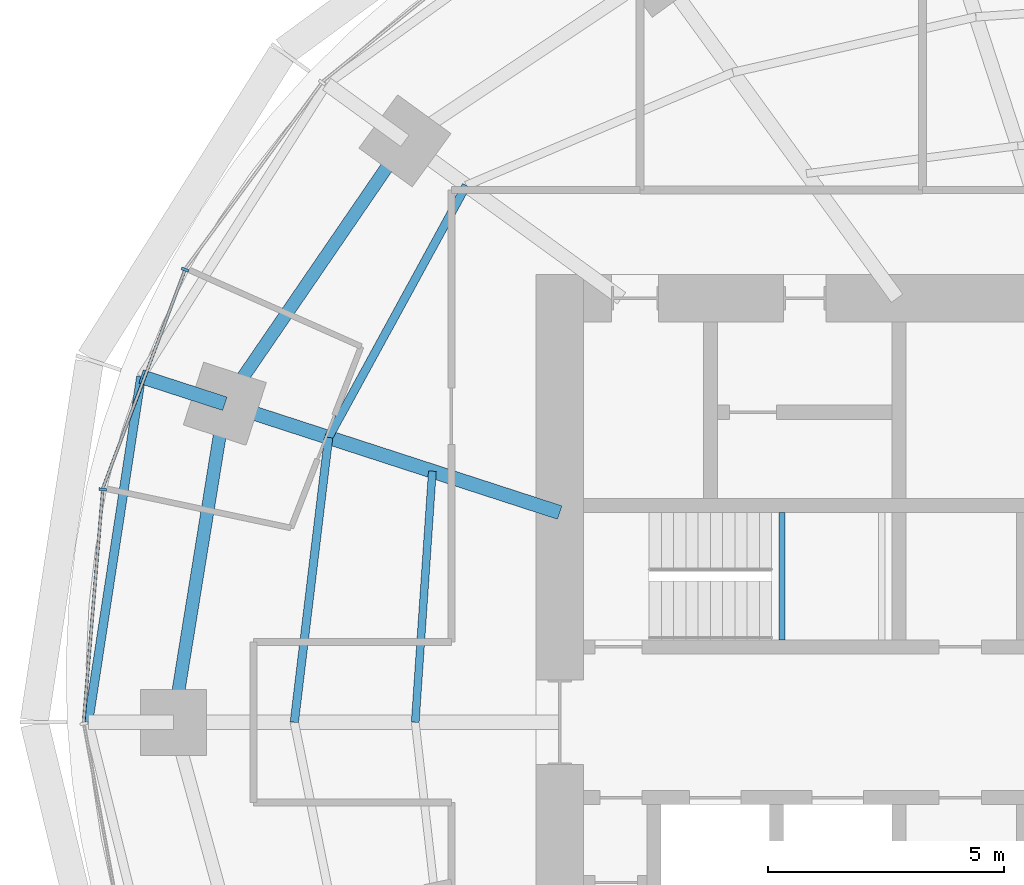
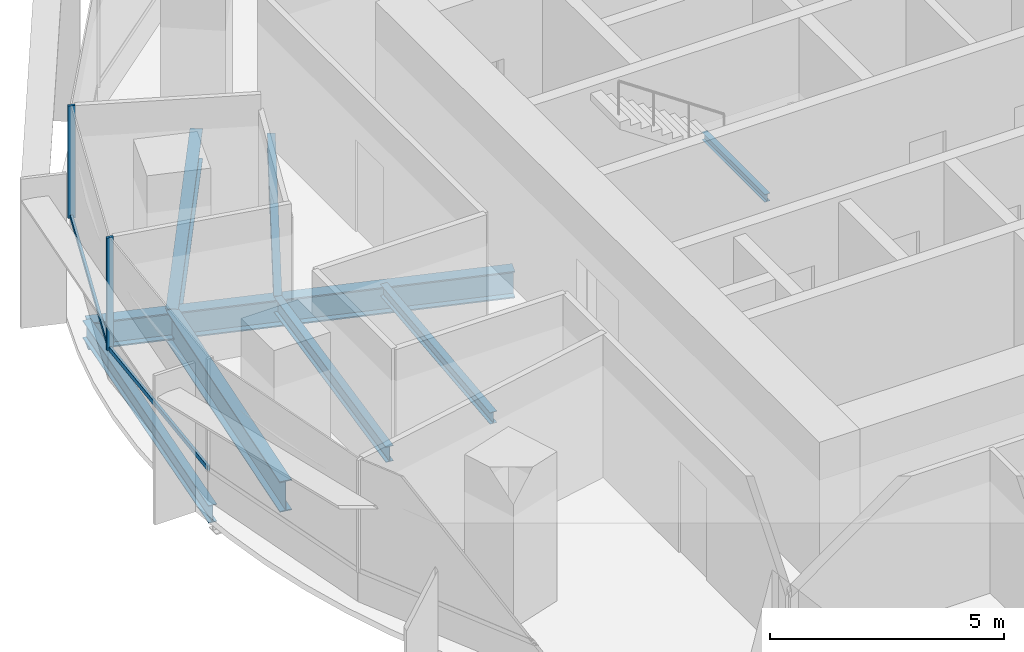
# One storey, part 4 of 14: 9 beams, 4 members, 1 element without a shape of its own.
"""IFC4 building model written with IfcOpenShell, lengths in metres."""

from ifc_helpers import new_model, si_unit, direction, frame, origin, origin_2d, place, context, subcontext, project, spatial, rectangle, i_section, extrude, material, material_profile, profile_set, type_object, element, aggregate, save


model = new_model("IFC4")

# Units and contexts
model_context = context("Model", 3, precision=1e-05, world=origin(), true_north=direction((0.0, 1.0)))
body_context = subcontext(model_context, "Body", "Model", "MODEL_VIEW")
ifc_project = project(units=[si_unit("LENGTHUNIT", "METRE"), si_unit("AREAUNIT", "SQUARE_METRE"), si_unit("VOLUMEUNIT", "CUBIC_METRE"), si_unit("PLANEANGLEUNIT", "RADIAN"), si_unit("MASSUNIT", "GRAM", prefix="KILO")], contexts=[model_context])

# Site, building, storey
site_placement = place(None, origin())
site = spatial("IfcSite", under=ifc_project, at=site_placement, CompositionType="ELEMENT")
building_placement = place(site_placement, origin())
building = spatial("IfcBuilding", under=site, at=building_placement, Name="Marramba Exchange Tower", CompositionType="ELEMENT")
storey_placement = place(building_placement, frame((0.0, 0.0, 199.39990234375)))
storey = spatial("IfcBuildingStorey", under=building, at=storey_placement, Name="L48", CompositionType="ELEMENT", Elevation=199.39990234375)

# Beams
ifc_material_1 = material(Name="Steel AS/NZS 3679.2 grade 300", Category="steel")
ifc_material_profile_1 = material_profile(ifc_material_1, i_section(OverallWidth=0.300048828125, OverallDepth=0.699951171875, WebThickness=0.010009765625, FlangeThickness=0.031982421875, at=origin_2d()), Name="700WB173")
ifc_profile_set_1 = profile_set([ifc_material_profile_1], Name="Steel AS/NZS 3679.2 grade 300")
beam_type_1 = type_object("IfcBeamType", Name="Cantilever girder 700WB173", PredefinedType="BEAM", material=ifc_profile_set_1)
beam_1_placement = place(storey_placement, frame((-20.808349609375, 6.760986328125, -0.510009765625), z_axis=(-0.951047511993, 0.309044705395, 0.0), x_axis=(-0.309044705395, -0.951047511993, 0.0)))
element("IfcBeam", 1, at=beam_1_placement, inside=storey, type_object=beam_type_1, Name="Cantilever girder L48 TC10", PredefinedType="BEAM", context=body_context, shape_type="SweptSolid", body=[
    extrude(i_section(OverallWidth=0.300048828125, OverallDepth=0.699951171875, WebThickness=0.010009765625, FlangeThickness=0.031982421875, at=origin_2d()), origin(), (0.0, 0.0, 1.0), 1.868408203125),
])
ifc_material_2 = material(Name="Steel AS/NZS 3679.1 grade 300", Category="steel")
ifc_material_profile_2 = material_profile(ifc_material_2, i_section(OverallWidth=0.166015625, OverallDepth=0.306884765625, WebThickness=0.006591796875, FlangeThickness=0.01171875, FilletRadius=0.011474609375, at=origin_2d()), Name="310UB46.2")
ifc_profile_set_2 = profile_set([ifc_material_profile_2], Name="Steel AS/NZS 3679.1 grade 300")
beam_type_2 = type_object("IfcBeamType", Name="Floor joist 310UB46.2", PredefinedType="JOIST", material=ifc_profile_set_2)
beam_2_placement = place(storey_placement, frame((-16.40283203125, 5.32958984375, -0.3134765625), z_axis=(-0.068096259546, -0.99767875563, 0.0), x_axis=(0.99767875563, -0.068096259546, 0.0)))
element("IfcBeam", 2, at=beam_2_placement, inside=storey, type_object=beam_type_2, Name="Joist L48 bay 10 row 1", PredefinedType="JOIST", context=body_context, shape_type="SweptSolid", body=[
    extrude(i_section(OverallWidth=0.166015625, OverallDepth=0.306884765625, WebThickness=0.006591796875, FlangeThickness=0.01171875, FilletRadius=0.011474609375, at=origin_2d()), origin(), (0.0, 0.0, 1.0), 5.342041015625),
])
ifc_material_profile_3 = material_profile(ifc_material_2, i_section(OverallWidth=0.177978515625, OverallDepth=0.406005859375, WebThickness=0.0078125, FlangeThickness=0.0126953125, FilletRadius=0.011474609375, at=origin_2d()), Name="410UB59.7")
ifc_profile_set_3 = profile_set([ifc_material_profile_3], Name="Steel AS/NZS 3679.1 grade 300")
beam_type_3 = type_object("IfcBeamType", Name="Floor joist 410UB59.7", PredefinedType="JOIST", material=ifc_profile_set_3)
beam_3_placement = place(storey_placement, frame((-15.682373046875, 11.393798828125, -0.36279296875), z_axis=(-0.479584443791, -0.877495732909, 0.0), x_axis=(0.877495732909, -0.479584443791, 0.0)))
element("IfcBeam", 3, at=beam_3_placement, inside=storey, type_object=beam_type_3, Name="Joist L48 bay 09 row 2", PredefinedType="JOIST", context=body_context, shape_type="SweptSolid", body=[
    extrude(i_section(OverallWidth=0.177978515625, OverallDepth=0.406005859375, WebThickness=0.0078125, FlangeThickness=0.0126953125, FilletRadius=0.011474609375, at=origin_2d()), origin(), (0.0, 0.0, 1.0), 6.094970703125),
])
beam_4_placement = place(storey_placement, frame((-18.60546875, 6.04541015625, -0.36279296875), z_axis=(-0.119523078538, -0.992831422597, 0.0), x_axis=(0.992831422597, -0.119523078538, 0.0)))
element("IfcBeam", 4, at=beam_4_placement, inside=storey, type_object=beam_type_3, Name="Joist L48 bay 10 row 2", PredefinedType="JOIST", context=body_context, shape_type="SweptSolid", body=[
    extrude(i_section(OverallWidth=0.177978515625, OverallDepth=0.406005859375, WebThickness=0.0078125, FlangeThickness=0.0126953125, FilletRadius=0.011474609375, at=origin_2d()), origin(), (0.0, 0.0, 1.0), 6.089111328125),
])

# Curtain wall, members
ifc_material_3 = material(Name="Aluminium framing, bronze anodised", Category="aluminium")
curtain_wall_type = type_object("IfcCurtainWallType", Name="Office ribbon curtain wall", PredefinedType="USERDEFINED", material=ifc_material_3)
curtain_wall_placement = place(storey_placement, origin())
curtain_wall = element("IfcCurtainWall", 5, at=curtain_wall_placement, inside=storey, type_object=curtain_wall_type, Name="Curtain wall CW4 L48 F11-F15", ObjectType="RIBBON CURTAIN WALL", PredefinedType="USERDEFINED")
ifc_material_4 = material(Name="Aluminium mullion, bronze anodised", Category="aluminium")
ifc_material_profile_4 = material_profile(ifc_material_4, rectangle(XDim=0.159912109375, YDim=0.06005859375, at=origin_2d()), Name="CW4 mullion 60x160")
ifc_profile_set_4 = profile_set([ifc_material_profile_4], Name="Aluminium mullion, bronze anodised")
member_type_1 = type_object("IfcMemberType", Name="Office ribbon curtain wall mullion", PredefinedType="MULLION", material=ifc_profile_set_4)
member_1_placement = place(storey_placement, frame((-21.65283203125, 9.607666015625, 0.800048828125), z_axis=(0.0, 0.0, 1.0), x_axis=(0.936018231909, -0.351951515885, 0.0)))
member_1 = element("IfcMember", 6, at=member_1_placement, type_object=member_type_1, Name="CW4 mullion 1", PredefinedType="MULLION", context=body_context, shape_type="SweptSolid", body=[
    extrude(rectangle(XDim=0.159912109375, YDim=0.06005859375, at=origin_2d()), origin(), (0.0, 0.0, 1.0), 2.93994140625),
])
member_2_placement = place(storey_placement, frame((-23.39794921875, 4.94287109375, 0.800048828125), z_axis=(0.0, 0.0, 1.0), x_axis=(0.996609178714, -0.082280890264, 0.0)))
member_2 = element("IfcMember", 7, at=member_2_placement, type_object=member_type_1, Name="CW4 mullion 1", PredefinedType="MULLION", context=body_context, shape_type="SweptSolid", body=[
    extrude(rectangle(XDim=0.159912109375, YDim=0.06005859375, at=origin_2d()), origin(), (0.0, 0.0, 1.0), 2.93994140625),
])
ifc_material_5 = material(Name="Aluminium transom, bronze anodised", Category="aluminium")
ifc_material_profile_5 = material_profile(ifc_material_5, rectangle(XDim=0.06005859375, YDim=0.1201171875, at=origin_2d()), Name="CW4 transom 60x120")
ifc_profile_set_5 = profile_set([ifc_material_profile_5], Name="Aluminium transom, bronze anodised")
member_type_2 = type_object("IfcMemberType", Name="Office ribbon curtain wall transom", PredefinedType="USERDEFINED", material=ifc_profile_set_5)
member_3_placement = place(storey_placement, frame((-21.663330078125, 9.57958984375, 0.830078125), z_axis=(-0.351955054115, -0.936016901494, 0.0), x_axis=(0.936016901494, -0.351955054115, 0.0)))
member_3 = element("IfcMember", 8, at=member_3_placement, type_object=member_type_2, Name="CW4 sill transom", ObjectType="TRANSOM", PredefinedType="USERDEFINED", context=body_context, shape_type="SweptSolid", body=[
    extrude(rectangle(XDim=0.06005859375, YDim=0.1201171875, at=origin_2d()), origin(), (0.0, 0.0, 1.0), 4.921630859375),
])
member_4_placement = place(storey_placement, frame((-23.400390625, 4.9130859375, 0.830078125), z_axis=(-0.082258542539, -0.996611023509, 0.0), x_axis=(0.996611023509, -0.082258542539, 0.0)))
member_4 = element("IfcMember", 9, at=member_4_placement, type_object=member_type_2, Name="CW4 sill transom", ObjectType="TRANSOM", PredefinedType="USERDEFINED", context=body_context, shape_type="SweptSolid", body=[
    extrude(rectangle(XDim=0.06005859375, YDim=0.1201171875, at=origin_2d()), origin(), (0.0, 0.0, 1.0), 4.9296875),
])
aggregate(curtain_wall, [member_1, member_3, member_2, member_4])

# Beams
ifc_material_profile_6 = material_profile(ifc_material_1, i_section(OverallWidth=0.300048828125, OverallDepth=0.699951171875, WebThickness=0.010009765625, FlangeThickness=0.031982421875, at=origin_2d()), Name="700WB173")
ifc_profile_set_6 = profile_set([ifc_material_profile_6], Name="Steel AS/NZS 3679.2 grade 300")
beam_type_4 = type_object("IfcBeamType", Name="Radial girder 700WB173", PredefinedType="BEAM", material=ifc_profile_set_6)
beam_5_placement = place(storey_placement, frame((-13.699951171875, 4.451416015625, -0.510009765625), z_axis=(-0.951059990189, 0.309006302624, 0.0), x_axis=(-0.309006302624, -0.951059990189, 0.0)))
element("IfcBeam", 10, at=beam_5_placement, inside=storey, type_object=beam_type_4, Name="Radial girder L48 TC10", PredefinedType="BEAM", context=body_context, shape_type="SweptSolid", body=[
    extrude(i_section(OverallWidth=0.300048828125, OverallDepth=0.699951171875, WebThickness=0.010009765625, FlangeThickness=0.031982421875, at=origin_2d()), origin(), (0.0, 0.0, 1.0), 7.47412109375),
])
ifc_material_profile_7 = material_profile(ifc_material_1, i_section(OverallWidth=0.27490234375, OverallDepth=0.800048828125, WebThickness=0.010009765625, FlangeThickness=0.02490234375, at=origin_2d()), Name="800WB168")
ifc_profile_set_7 = profile_set([ifc_material_profile_7], Name="Steel AS/NZS 3679.2 grade 300")
beam_type_5 = type_object("IfcBeamType", Name="Ring beam 800WB168", PredefinedType="SPANDREL", material=ifc_profile_set_7)
beam_6_placement = place(storey_placement, frame((-16.98583984375, 12.3408203125, -0.559814453125), z_axis=(-0.56516002054, -0.824981303535, 0.0), x_axis=(0.824981303535, -0.56516002054, 0.0)))
element("IfcBeam", 11, at=beam_6_placement, inside=storey, type_object=beam_type_5, Name="Ring beam L48 TC09-TC10", PredefinedType="SPANDREL", context=body_context, shape_type="SweptSolid", body=[
    extrude(i_section(OverallWidth=0.27490234375, OverallDepth=0.800048828125, WebThickness=0.010009765625, FlangeThickness=0.02490234375, at=origin_2d()), origin(), (0.0, 0.0, 1.0), 6.763671875),
])
beam_7_placement = place(storey_placement, frame((-20.808349609375, 6.760986328125, -0.559814453125), z_axis=(-0.159384865399, -0.987216523708, 0.0), x_axis=(0.987216523708, -0.159384865399, 0.0)))
element("IfcBeam", 12, at=beam_7_placement, inside=storey, type_object=beam_type_5, Name="Ring beam L48 TC10-TC11", PredefinedType="SPANDREL", context=body_context, shape_type="SweptSolid", body=[
    extrude(i_section(OverallWidth=0.27490234375, OverallDepth=0.800048828125, WebThickness=0.010009765625, FlangeThickness=0.02490234375, at=origin_2d()), origin(), (0.0, 0.0, 1.0), 6.8486328125),
])
ifc_material_profile_8 = material_profile(ifc_material_2, i_section(OverallWidth=0.19091796875, OverallDepth=0.4599609375, WebThickness=0.010009765625, FlangeThickness=0.01611328125, FilletRadius=0.011474609375, at=origin_2d()), Name="460UB82.1")
ifc_profile_set_8 = profile_set([ifc_material_profile_8], Name="Steel AS/NZS 3679.1 grade 300")
beam_type_6 = type_object("IfcBeamType", Name="Slab edge beam 460UB82.1", PredefinedType="SPANDREL", material=ifc_profile_set_8)
beam_8_placement = place(storey_placement, frame((-22.585205078125, 7.33837890625, -0.389892578125), z_axis=(-0.150987012186, -0.988535746522, 0.0), x_axis=(0.988535746522, -0.150987012186, 0.0)))
element("IfcBeam", 13, at=beam_8_placement, inside=storey, type_object=beam_type_6, Name="Slab edge beam L48 TC10-TC11", PredefinedType="SPANDREL", context=body_context, shape_type="SweptSolid", body=[
    extrude(i_section(OverallWidth=0.19091796875, OverallDepth=0.4599609375, WebThickness=0.010009765625, FlangeThickness=0.01611328125, FilletRadius=0.011474609375, at=origin_2d()), origin(), (0.0, 0.0, 1.0), 7.423583984375),
])
ifc_material_profile_9 = material_profile(ifc_material_2, i_section(OverallWidth=0.133056640625, OverallDepth=0.202880859375, WebThickness=0.005859375, FlangeThickness=0.0078125, FilletRadius=0.0087890625, at=origin_2d()), Name="200UB25.4")
ifc_profile_set_9 = profile_set([ifc_material_profile_9], Name="Steel AS/NZS 3679.1 grade 300")
beam_type_7 = type_object("IfcBeamType", Name="Stair landing beam 200UB25.4", PredefinedType="BEAM", material=ifc_profile_set_9)
beam_9_placement = place(storey_placement, frame((-8.9833984375, 1.75, 1.648681640625), z_axis=(0.0, 1.0, 0.0), x_axis=(-1.0, 0.0, 0.0)))
element("IfcBeam", 14, at=beam_9_placement, inside=storey, type_object=beam_type_7, Name="Stair landing beam SLB1 ST1 L48 1", PredefinedType="BEAM", context=body_context, shape_type="SweptSolid", body=[
    extrude(i_section(OverallWidth=0.133056640625, OverallDepth=0.202880859375, WebThickness=0.005859375, FlangeThickness=0.0078125, FilletRadius=0.0087890625, at=origin_2d()), origin(), (0.0, 0.0, 1.0), 2.699951171875),
])

save(model, "model.ifc")
